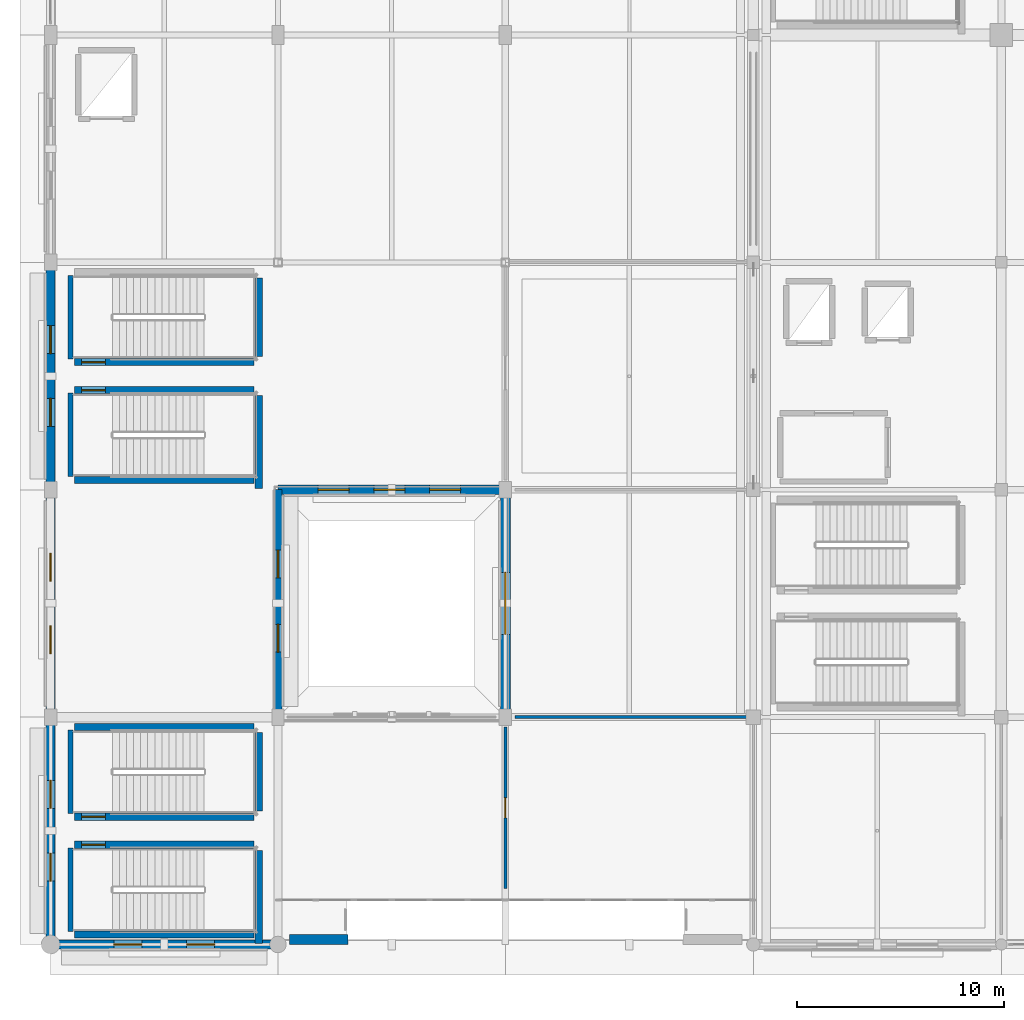
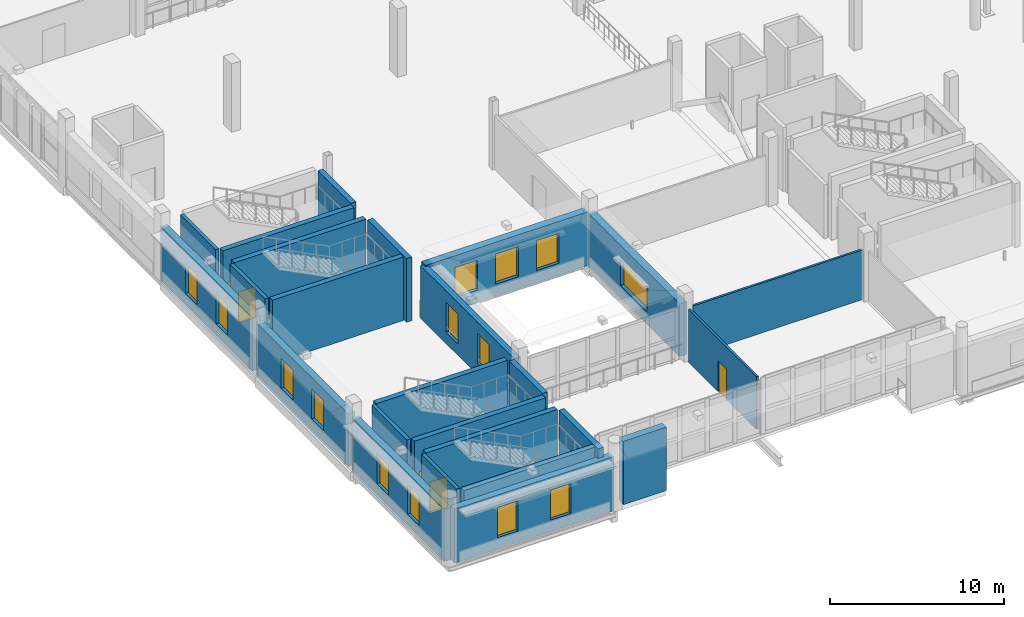
# One storey, part 90 of 143: 25 walls, 14 windows, 5 doors, 19 openings.
"""IFC4 building model written with IfcOpenShell, lengths in metres."""

from ifc_helpers import new_model, si_unit, direction, frame, frame_2d, origin, place, context, subcontext, project, spatial, rectangle, extrude, material, layer, layer_set, type_object, element, fill, save


model = new_model("IFC4")

# Units and contexts
model_context = context("Model", 3, precision=1e-05, world=origin(), true_north=direction((0.0, 1.0)))
body_context = subcontext(model_context, "Body", "Model", "MODEL_VIEW")
ifc_project = project(units=[si_unit("LENGTHUNIT", "METRE"), si_unit("AREAUNIT", "SQUARE_METRE"), si_unit("VOLUMEUNIT", "CUBIC_METRE"), si_unit("PLANEANGLEUNIT", "RADIAN"), si_unit("MASSUNIT", "GRAM", prefix="KILO")], contexts=[model_context])

# Site, building, storey
site_placement = place(None, origin())
site = spatial("IfcSite", under=ifc_project, at=site_placement, CompositionType="ELEMENT")
building_placement = place(site_placement, origin())
building = spatial("IfcBuilding", under=site, at=building_placement, Name="Luwafu Chhajja Arena", CompositionType="ELEMENT")
storey_placement = place(building_placement, frame((0.0, 0.0, 5.39990234375)))
storey = spatial("IfcBuildingStorey", under=building, at=storey_placement, Name="L01", CompositionType="ELEMENT", Elevation=5.39990234375)

# Wall, opening, door
ifc_material_1 = material(Name="Lightweight blockwork partition", Category="masonry")
ifc_layer_1 = layer(ifc_material_1, 0.139892578125, Name="Lightweight blockwork partition")
ifc_layer_set_1 = layer_set([ifc_layer_1], Name="Lightweight blockwork partition")
wall_type_1 = type_object("IfcWallType", Name="Concourse Kiosk Partition 140", PredefinedType="PARTITIONING", material=ifc_layer_set_1)
wall_1_placement = place(storey_placement, frame((22.0, 2.699951171875, 0.0), z_axis=(0.0, 0.0, 1.0), x_axis=(0.0, 1.0, 0.0)))
wall_1 = element("IfcWall", 1, at=wall_1_placement, inside=storey, type_object=wall_type_1, Name="L01 Internal Partition 0217", PredefinedType="PARTITIONING", context=body_context, shape_type="SweptSolid", body=[
    extrude(rectangle(XDim=7.820068359375, YDim=0.139892578125, at=frame_2d((3.91015625, 0.0))), origin(), (0.0, 0.0, 1.0), 3.70654296875),
])
opening_1_placement = place(wall_1_placement, frame((3.429931640625, 0.0, 0.0)))
opening_1 = element("IfcOpeningElement", 2, at=opening_1_placement, cuts=wall_1, Name="Opening DR-22", PredefinedType="OPENING", context=body_context, shape_type="SweptSolid", body=[
    extrude(rectangle(XDim=0.9599609375, YDim=2.14990234375, at=frame_2d((0.47998046875, 1.074951171875))), frame((0.0, 0.079833984375, 0.0), z_axis=(0.0, -1.0, 0.0), x_axis=(1.0, 0.0, 0.0)), (0.0, 0.0, 1.0), 0.159912109375),
])
ifc_material_2 = material(Name="Hardwood flush office door", Category="wood")
door_type_1 = type_object("IfcDoorType", Name="DR-22", OperationType="NOTDEFINED", PredefinedType="DOOR", material=ifc_material_2)
door_1_placement = place(opening_1_placement, origin())
door_1 = element("IfcDoor", 3, at=door_1_placement, inside=storey, type_object=door_type_1, Name="L01 Interior Door L01-D031", OperationType="SINGLE_SWING_LEFT", OverallHeight=2.14990234375, OverallWidth=0.9599609375, PredefinedType="DOOR", context=body_context, shape_type="SweptSolid", body=[
    extrude(rectangle(XDim=0.9599609375, YDim=2.14990234375, at=frame_2d((0.47998046875, 1.074951171875))), frame((0.0, 0.02490234375, 0.0), z_axis=(0.0, -1.0, 0.0), x_axis=(1.0, 0.0, 0.0)), (0.0, 0.0, 1.0), 0.050048828125),
])
fill(opening_1, door_1)

# Walls
wall_2_placement = place(storey_placement, frame((22.47998046875, 11.0, 0.0), z_axis=(0.0, 0.0, 1.0), x_axis=(1.0, 0.0, 0.0)))
element("IfcWall", 4, at=wall_2_placement, inside=storey, type_object=wall_type_1, Name="L01 Internal Partition 0219", PredefinedType="PARTITIONING", context=body_context, shape_type="SweptSolid", body=[
    extrude(rectangle(XDim=11.300048828125, YDim=0.139892578125, at=frame_2d((5.64990234375, 0.0))), origin(), (0.0, 0.0, 1.0), 3.489990234375),
])
ifc_material_3 = material(Name="Concrete C40/50", Category="concrete")
ifc_layer_2 = layer(ifc_material_3, 0.47998046875, Name="Concrete C40/50")
ifc_layer_set_2 = layer_set([ifc_layer_2], Name="Concrete C40/50")
wall_type_2 = type_object("IfcWallType", Name="Pishtaq Portal Ashlar Wall 480", PredefinedType="SOLIDWALL", material=ifc_layer_set_2)
wall_3_placement = place(storey_placement, frame((11.550048828125, 0.25, 0.0), z_axis=(0.0, 0.0, 1.0), x_axis=(1.0, 0.0, 0.0)))
element("IfcWall", 5, at=wall_3_placement, inside=storey, type_object=wall_type_2, Name="L01 Pishtaq Portal West Cheek Pier", PredefinedType="SOLIDWALL", context=body_context, shape_type="SweptSolid", body=[
    extrude(rectangle(XDim=2.849853515625, YDim=0.47998046875, at=frame_2d((1.4248046875, 0.0))), origin(), (0.0, 0.0, 1.0), 4.440185546875),
])

# Wall, openings, windows
wall_4_placement = place(storey_placement, frame((11.0, 22.0, 0.0), z_axis=(0.0, 0.0, 1.0), x_axis=(1.0, 0.0, 0.0)))
wall_4 = element("IfcWall", 6, at=wall_4_placement, inside=storey, type_object=wall_type_2, Name="L01 Exterior Wall WEX-L01-114", PredefinedType="SOLIDWALL", context=body_context, shape_type="SweptSolid", body=[
    extrude(rectangle(XDim=10.780029296875, YDim=0.47998046875, at=frame_2d((5.39013671875, 0.0))), origin(), (0.0, 0.0, 1.0), 3.77783203125),
])
opening_2_placement = place(wall_4_placement, frame((1.945068359375, 0.0, 0.85009765625)))
opening_2 = element("IfcOpeningElement", 7, at=opening_2_placement, cuts=wall_4, Name="Opening WN-02", PredefinedType="OPENING", context=body_context, shape_type="SweptSolid", body=[
    extrude(rectangle(XDim=1.5, YDim=2.10009765625, at=frame_2d((0.75, 1.050048828125))), frame((0.0, 0.25, 0.0), z_axis=(0.0, -1.0, 0.0), x_axis=(1.0, 0.0, 0.0)), (0.0, 0.0, 1.0), 0.5),
])
opening_3_placement = place(wall_4_placement, frame((4.639892578125, 0.0, 0.85009765625)))
opening_3 = element("IfcOpeningElement", 8, at=opening_3_placement, cuts=wall_4, Name="Opening WN-02", PredefinedType="OPENING", context=body_context, shape_type="SweptSolid", body=[
    extrude(rectangle(XDim=1.5, YDim=2.10009765625, at=frame_2d((0.75, 1.050048828125))), frame((0.0, 0.25, 0.0), z_axis=(0.0, -1.0, 0.0), x_axis=(1.0, 0.0, 0.0)), (0.0, 0.0, 1.0), 0.5),
])
opening_4_placement = place(wall_4_placement, frame((7.3349609375, 0.0, 0.85009765625)))
opening_4 = element("IfcOpeningElement", 9, at=opening_4_placement, cuts=wall_4, Name="Opening WN-02", PredefinedType="OPENING", context=body_context, shape_type="SweptSolid", body=[
    extrude(rectangle(XDim=1.5, YDim=2.10009765625, at=frame_2d((0.75, 1.050048828125))), frame((0.0, 0.25, 0.0), z_axis=(0.0, -1.0, 0.0), x_axis=(1.0, 0.0, 0.0)), (0.0, 0.0, 1.0), 0.5),
])
ifc_material_4 = material(Name="Solar-control laminated glass", Category="glass")
window_type_1 = type_object("IfcWindowType", Name="Mughal Deep-Reveal Punched Window 1500x2100", PartitioningType="SINGLE_PANEL", PredefinedType="WINDOW", material=ifc_material_4)
window_1_placement = place(opening_2_placement, origin())
window_1 = element("IfcWindow", 10, at=window_1_placement, inside=storey, type_object=window_type_1, Name="L01 Facade Window 023", OverallHeight=2.10009765625, OverallWidth=1.5, PartitioningType="SINGLE_PANEL", PredefinedType="WINDOW", context=body_context, shape_type="SweptSolid", body=[
    extrude(rectangle(XDim=1.5, YDim=2.10009765625, at=frame_2d((0.75, 1.050048828125))), frame((0.0, 0.030029296875, 0.0), z_axis=(0.0, -1.0, 0.0), x_axis=(1.0, 0.0, 0.0)), (0.0, 0.0, 1.0), 0.06005859375),
])
fill(opening_2, window_1)
window_2_placement = place(opening_3_placement, origin())
window_2 = element("IfcWindow", 11, at=window_2_placement, inside=storey, type_object=window_type_1, Name="L01 Facade Window 024", OverallHeight=2.10009765625, OverallWidth=1.5, PartitioningType="SINGLE_PANEL", PredefinedType="WINDOW", context=body_context, shape_type="SweptSolid", body=[
    extrude(rectangle(XDim=1.5, YDim=2.10009765625, at=frame_2d((0.75, 1.050048828125))), frame((0.0, 0.030029296875, 0.0), z_axis=(0.0, -1.0, 0.0), x_axis=(1.0, 0.0, 0.0)), (0.0, 0.0, 1.0), 0.06005859375),
])
fill(opening_3, window_2)
window_3_placement = place(opening_4_placement, origin())
window_3 = element("IfcWindow", 12, at=window_3_placement, inside=storey, type_object=window_type_1, Name="L01 Facade Window 025", OverallHeight=2.10009765625, OverallWidth=1.5, PartitioningType="SINGLE_PANEL", PredefinedType="WINDOW", context=body_context, shape_type="SweptSolid", body=[
    extrude(rectangle(XDim=1.5, YDim=2.10009765625, at=frame_2d((0.75, 1.050048828125))), frame((0.0, 0.030029296875, 0.0), z_axis=(0.0, -1.0, 0.0), x_axis=(1.0, 0.0, 0.0)), (0.0, 0.0, 1.0), 0.06005859375),
])
fill(opening_4, window_3)

# Wall, opening, window
wall_5_placement = place(storey_placement, frame((22.0, 11.219970703125, 0.0), z_axis=(0.0, 0.0, 1.0), x_axis=(0.0, 1.0, 0.0)))
wall_5 = element("IfcWall", 13, at=wall_5_placement, inside=storey, type_object=wall_type_2, Name="L01 Exterior Wall WEX-L01-116", PredefinedType="SOLIDWALL", context=body_context, shape_type="SweptSolid", body=[
    extrude(rectangle(XDim=10.56005859375, YDim=0.47998046875, at=frame_2d((5.280029296875, 0.0))), origin(), (0.0, 0.0, 1.0), 3.70654296875),
])
opening_5_placement = place(wall_5_placement, frame((3.780029296875, 0.0, 0.89990234375)))
opening_5 = element("IfcOpeningElement", 14, at=opening_5_placement, cuts=wall_5, Name="Opening WN-07", PredefinedType="OPENING", context=body_context, shape_type="SweptSolid", body=[
    extrude(rectangle(XDim=3.0, YDim=1.800048828125, at=frame_2d((1.5, 0.89990234375))), frame((0.0, 0.25, 0.0), z_axis=(0.0, -1.0, 0.0), x_axis=(1.0, 0.0, 0.0)), (0.0, 0.0, 1.0), 0.5),
])
window_type_2 = type_object("IfcWindowType", Name="Hospitality Lounge Ribbon Window 3000x1800", PartitioningType="SINGLE_PANEL", PredefinedType="WINDOW", material=ifc_material_4)
window_4_placement = place(opening_5_placement, origin())
window_4 = element("IfcWindow", 15, at=window_4_placement, inside=storey, type_object=window_type_2, Name="L01 Facade Window 028", OverallHeight=1.800048828125, OverallWidth=3.0, PartitioningType="SINGLE_PANEL", PredefinedType="WINDOW", context=body_context, shape_type="SweptSolid", body=[
    extrude(rectangle(XDim=3.0, YDim=1.800048828125, at=frame_2d((1.5, 0.89990234375))), frame((0.0, 0.030029296875, 0.0), z_axis=(0.0, -1.0, 0.0), x_axis=(1.0, 0.0, 0.0)), (0.0, 0.0, 1.0), 0.06005859375),
])
fill(opening_5, window_4)

# Walls
ifc_layer_3 = layer(ifc_material_3, 0.35009765625, Name="Concrete C40/50")
ifc_layer_set_3 = layer_set([ifc_layer_3], Name="Concrete C40/50")
wall_type_3 = type_object("IfcWallType", Name="RC Core Shear Wall 350", PredefinedType="SOLIDWALL", material=ifc_layer_set_3)
wall_6_placement = place(storey_placement, frame((10.072021484375, 22.050048828125, 0.0), z_axis=(0.0, 0.0, 1.0), x_axis=(0.0, 1.0, 0.0)))
element("IfcWall", 16, at=wall_6_placement, inside=storey, type_object=wall_type_3, Name="L01 Stair ST-13 Core Shear Wall E", PredefinedType="SOLIDWALL", context=body_context, shape_type="SweptSolid", body=[
    extrude(rectangle(XDim=4.5, YDim=0.35009765625, at=frame_2d((2.25, 0.0))), origin(), (0.0, 0.0, 1.0), 4.460205078125),
])
wall_7_placement = place(storey_placement, frame((1.14990234375, 22.47802734375, 0.0), z_axis=(0.0, 0.0, 1.0), x_axis=(1.0, 0.0, 0.0)))
element("IfcWall", 17, at=wall_7_placement, inside=storey, type_object=wall_type_3, Name="L01 Stair ST-13 Core Shear Wall S", PredefinedType="SOLIDWALL", context=body_context, shape_type="SweptSolid", body=[
    extrude(rectangle(XDim=8.7001953125, YDim=0.35009765625, at=frame_2d((4.35009765625, 0.0))), origin(), (0.0, 0.0, 1.0), 4.460205078125),
])

# Wall, opening, door
wall_8_placement = place(storey_placement, frame((1.14990234375, 26.822021484375, 0.0), z_axis=(0.0, 0.0, 1.0), x_axis=(1.0, 0.0, 0.0)))
wall_8 = element("IfcWall", 18, at=wall_8_placement, inside=storey, type_object=wall_type_3, Name="L01 Stair ST-13 Core Shear Wall N", PredefinedType="SOLIDWALL", context=body_context, shape_type="SweptSolid", body=[
    extrude(rectangle(XDim=8.7001953125, YDim=0.35009765625, at=frame_2d((4.35009765625, 0.0))), origin(), (0.0, 0.0, 1.0), 4.460205078125),
])
opening_6_placement = place(wall_8_placement, frame((0.35009765625, 0.0, 0.0)))
opening_6 = element("IfcOpeningElement", 19, at=opening_6_placement, cuts=wall_8, Name="Opening DR-06", PredefinedType="OPENING", context=body_context, shape_type="SweptSolid", body=[
    extrude(rectangle(XDim=1.14990234375, YDim=2.199951171875, at=frame_2d((0.574951171875, 1.10009765625))), frame((0.0, 0.18505859375, 0.0), z_axis=(0.0, -1.0, 0.0), x_axis=(1.0, 0.0, 0.0)), (0.0, 0.0, 1.0), 0.3701171875),
])
ifc_material_5 = material(Name="Fire-rated hardwood and steel core", Category="steel")
door_type_2 = type_object("IfcDoorType", Name="DR-06", OperationType="NOTDEFINED", PredefinedType="DOOR", material=ifc_material_5)
door_2_placement = place(opening_6_placement, origin())
door_2 = element("IfcDoor", 20, at=door_2_placement, inside=storey, type_object=door_type_2, Name="L01 Escape Stair ST-13 Fire Door L01-D021", OperationType="SINGLE_SWING_RIGHT", OverallHeight=2.199951171875, OverallWidth=1.14990234375, PredefinedType="DOOR", context=body_context, shape_type="SweptSolid", body=[
    extrude(rectangle(XDim=1.14990234375, YDim=2.199951171875, at=frame_2d((0.574951171875, 1.10009765625))), frame((0.0, 0.02490234375, 0.0), z_axis=(0.0, -1.0, 0.0), x_axis=(1.0, 0.0, 0.0)), (0.0, 0.0, 1.0), 0.050048828125),
])
fill(opening_6, door_2)

# Wall
wall_9_placement = place(storey_placement, frame((10.072021484375, 28.449951171875, 0.0), z_axis=(0.0, 0.0, 1.0), x_axis=(0.0, 1.0, 0.0)))
element("IfcWall", 21, at=wall_9_placement, inside=storey, type_object=wall_type_3, Name="L01 Stair ST-14 Core Shear Wall E", PredefinedType="SOLIDWALL", context=body_context, shape_type="SweptSolid", body=[
    extrude(rectangle(XDim=3.800048828125, YDim=0.35009765625, at=frame_2d((1.89990234375, 0.0))), origin(), (0.0, 0.0, 1.0), 4.460205078125),
])

# Wall, opening, door
wall_10_placement = place(storey_placement, frame((1.14990234375, 28.177978515625, 0.0), z_axis=(0.0, 0.0, 1.0), x_axis=(1.0, 0.0, 0.0)))
wall_10 = element("IfcWall", 22, at=wall_10_placement, inside=storey, type_object=wall_type_3, Name="L01 Stair ST-14 Core Shear Wall S", PredefinedType="SOLIDWALL", context=body_context, shape_type="SweptSolid", body=[
    extrude(rectangle(XDim=8.7001953125, YDim=0.35009765625, at=frame_2d((4.35009765625, 0.0))), origin(), (0.0, 0.0, 1.0), 4.460205078125),
])
opening_7_placement = place(wall_10_placement, frame((0.35009765625, 0.0, 0.0)))
opening_7 = element("IfcOpeningElement", 23, at=opening_7_placement, cuts=wall_10, Name="Opening DR-06", PredefinedType="OPENING", context=body_context, shape_type="SweptSolid", body=[
    extrude(rectangle(XDim=1.14990234375, YDim=2.199951171875, at=frame_2d((0.574951171875, 1.10009765625))), frame((0.0, 0.18505859375, 0.0), z_axis=(0.0, -1.0, 0.0), x_axis=(1.0, 0.0, 0.0)), (0.0, 0.0, 1.0), 0.3701171875),
])
door_3_placement = place(opening_7_placement, origin())
door_3 = element("IfcDoor", 24, at=door_3_placement, inside=storey, type_object=door_type_2, Name="L01 Escape Stair ST-14 Fire Door L01-D022", OperationType="SINGLE_SWING_LEFT", OverallHeight=2.199951171875, OverallWidth=1.14990234375, PredefinedType="DOOR", context=body_context, shape_type="SweptSolid", body=[
    extrude(rectangle(XDim=1.14990234375, YDim=2.199951171875, at=frame_2d((0.574951171875, 1.10009765625))), frame((0.0, 0.02490234375, 0.0), z_axis=(0.0, -1.0, 0.0), x_axis=(1.0, 0.0, 0.0)), (0.0, 0.0, 1.0), 0.050048828125),
])
fill(opening_7, door_3)

# Walls
wall_11_placement = place(storey_placement, frame((10.072021484375, 0.050048828125, 0.0), z_axis=(0.0, 0.0, 1.0), x_axis=(0.0, 1.0, 0.0)))
element("IfcWall", 25, at=wall_11_placement, inside=storey, type_object=wall_type_3, Name="L01 Stair ST-17 Core Shear Wall E", PredefinedType="SOLIDWALL", context=body_context, shape_type="SweptSolid", body=[
    extrude(rectangle(XDim=4.5, YDim=0.35009765625, at=frame_2d((2.25, 0.0))), origin(), (0.0, 0.0, 1.0), 4.460205078125),
])
wall_12_placement = place(storey_placement, frame((1.14990234375, 0.47802734375, 0.0), z_axis=(0.0, 0.0, 1.0), x_axis=(1.0, 0.0, 0.0)))
element("IfcWall", 26, at=wall_12_placement, inside=storey, type_object=wall_type_3, Name="L01 Stair ST-17 Core Shear Wall S", PredefinedType="SOLIDWALL", context=body_context, shape_type="SweptSolid", body=[
    extrude(rectangle(XDim=8.7001953125, YDim=0.35009765625, at=frame_2d((4.35009765625, 0.0))), origin(), (0.0, 0.0, 1.0), 4.460205078125),
])

# Wall, opening, door
wall_13_placement = place(storey_placement, frame((1.14990234375, 4.822021484375, 0.0), z_axis=(0.0, 0.0, 1.0), x_axis=(1.0, 0.0, 0.0)))
wall_13 = element("IfcWall", 27, at=wall_13_placement, inside=storey, type_object=wall_type_3, Name="L01 Stair ST-17 Core Shear Wall N", PredefinedType="SOLIDWALL", context=body_context, shape_type="SweptSolid", body=[
    extrude(rectangle(XDim=8.7001953125, YDim=0.35009765625, at=frame_2d((4.35009765625, 0.0))), origin(), (0.0, 0.0, 1.0), 4.460205078125),
])
opening_8_placement = place(wall_13_placement, frame((0.35009765625, 0.0, 0.0)))
opening_8 = element("IfcOpeningElement", 28, at=opening_8_placement, cuts=wall_13, Name="Opening DR-06", PredefinedType="OPENING", context=body_context, shape_type="SweptSolid", body=[
    extrude(rectangle(XDim=1.14990234375, YDim=2.199951171875, at=frame_2d((0.574951171875, 1.10009765625))), frame((0.0, 0.18505859375, 0.0), z_axis=(0.0, -1.0, 0.0), x_axis=(1.0, 0.0, 0.0)), (0.0, 0.0, 1.0), 0.3701171875),
])
door_4_placement = place(opening_8_placement, origin())
door_4 = element("IfcDoor", 29, at=door_4_placement, inside=storey, type_object=door_type_2, Name="L01 Escape Stair ST-17 Fire Door L01-D025", OperationType="SINGLE_SWING_RIGHT", OverallHeight=2.199951171875, OverallWidth=1.14990234375, PredefinedType="DOOR", context=body_context, shape_type="SweptSolid", body=[
    extrude(rectangle(XDim=1.14990234375, YDim=2.199951171875, at=frame_2d((0.574951171875, 1.10009765625))), frame((0.0, 0.02490234375, 0.0), z_axis=(0.0, -1.0, 0.0), x_axis=(1.0, 0.0, 0.0)), (0.0, 0.0, 1.0), 0.050048828125),
])
fill(opening_8, door_4)

# Wall
wall_14_placement = place(storey_placement, frame((10.072021484375, 6.449951171875, 0.0), z_axis=(0.0, 0.0, 1.0), x_axis=(0.0, 1.0, 0.0)))
element("IfcWall", 30, at=wall_14_placement, inside=storey, type_object=wall_type_3, Name="L01 Stair ST-18 Core Shear Wall E", PredefinedType="SOLIDWALL", context=body_context, shape_type="SweptSolid", body=[
    extrude(rectangle(XDim=3.800048828125, YDim=0.35009765625, at=frame_2d((1.89990234375, 0.0))), origin(), (0.0, 0.0, 1.0), 4.460205078125),
])

# Wall, opening, door
wall_15_placement = place(storey_placement, frame((1.14990234375, 6.177978515625, 0.0), z_axis=(0.0, 0.0, 1.0), x_axis=(1.0, 0.0, 0.0)))
wall_15 = element("IfcWall", 31, at=wall_15_placement, inside=storey, type_object=wall_type_3, Name="L01 Stair ST-18 Core Shear Wall S", PredefinedType="SOLIDWALL", context=body_context, shape_type="SweptSolid", body=[
    extrude(rectangle(XDim=8.7001953125, YDim=0.35009765625, at=frame_2d((4.35009765625, 0.0))), origin(), (0.0, 0.0, 1.0), 4.460205078125),
])
opening_9_placement = place(wall_15_placement, frame((0.35009765625, 0.0, 0.0)))
opening_9 = element("IfcOpeningElement", 32, at=opening_9_placement, cuts=wall_15, Name="Opening DR-06", PredefinedType="OPENING", context=body_context, shape_type="SweptSolid", body=[
    extrude(rectangle(XDim=1.14990234375, YDim=2.199951171875, at=frame_2d((0.574951171875, 1.10009765625))), frame((0.0, 0.18505859375, 0.0), z_axis=(0.0, -1.0, 0.0), x_axis=(1.0, 0.0, 0.0)), (0.0, 0.0, 1.0), 0.3701171875),
])
door_5_placement = place(opening_9_placement, origin())
door_5 = element("IfcDoor", 33, at=door_5_placement, inside=storey, type_object=door_type_2, Name="L01 Escape Stair ST-18 Fire Door L01-D026", OperationType="SINGLE_SWING_LEFT", OverallHeight=2.199951171875, OverallWidth=1.14990234375, PredefinedType="DOOR", context=body_context, shape_type="SweptSolid", body=[
    extrude(rectangle(XDim=1.14990234375, YDim=2.199951171875, at=frame_2d((0.574951171875, 1.10009765625))), frame((0.0, 0.02490234375, 0.0), z_axis=(0.0, -1.0, 0.0), x_axis=(1.0, 0.0, 0.0)), (0.0, 0.0, 1.0), 0.050048828125),
])
fill(opening_9, door_5)

# Wall
wall_16_placement = place(storey_placement, frame((1.14990234375, 10.52197265625, 0.0), z_axis=(0.0, 0.0, 1.0), x_axis=(1.0, 0.0, 0.0)))
element("IfcWall", 34, at=wall_16_placement, inside=storey, type_object=wall_type_3, Name="L01 Stair ST-18 Core Shear Wall N", PredefinedType="SOLIDWALL", context=body_context, shape_type="SweptSolid", body=[
    extrude(rectangle(XDim=8.7001953125, YDim=0.35009765625, at=frame_2d((4.35009765625, 0.0))), origin(), (0.0, 0.0, 1.0), 4.460205078125),
])

# Wall, openings, windows
ifc_layer_4 = layer(ifc_material_3, 0.39990234375, Name="Concrete C40/50")
ifc_layer_set_4 = layer_set([ifc_layer_4], Name="Concrete C40/50")
wall_type_4 = type_object("IfcWallType", Name="RC Core Shear Wall 400", PredefinedType="SOLIDWALL", material=ifc_layer_set_4)
wall_17_placement = place(storey_placement, frame((11.0, 11.219970703125, 0.0), z_axis=(0.0, 0.0, 1.0), x_axis=(0.0, 1.0, 0.0)))
wall_17 = element("IfcWall", 35, at=wall_17_placement, inside=storey, type_object=wall_type_4, Name="L01 Exterior Wall WEX-L01-107", PredefinedType="SOLIDWALL", context=body_context, shape_type="SweptSolid", body=[
    extrude(rectangle(XDim=10.780029296875, YDim=0.39990234375, at=frame_2d((5.39013671875, 0.0))), origin(), (0.0, 0.0, 1.0), 3.690185546875),
])
opening_10_placement = place(wall_17_placement, frame((2.918212890625, 0.0, 0.800048828125)))
opening_10 = element("IfcOpeningElement", 36, at=opening_10_placement, cuts=wall_17, Name="Opening WN-17", PredefinedType="OPENING", context=body_context, shape_type="SweptSolid", body=[
    extrude(rectangle(XDim=1.35009765625, YDim=2.10009765625, at=frame_2d((0.675048828125, 1.050048828125))), frame((0.0, 0.2099609375, 0.0), z_axis=(0.0, -1.0, 0.0), x_axis=(1.0, 0.0, 0.0)), (0.0, 0.0, 1.0), 0.419921875),
])
opening_11_placement = place(wall_17_placement, frame((6.51171875, 0.0, 0.800048828125)))
opening_11 = element("IfcOpeningElement", 37, at=opening_11_placement, cuts=wall_17, Name="Opening WN-17", PredefinedType="OPENING", context=body_context, shape_type="SweptSolid", body=[
    extrude(rectangle(XDim=1.35009765625, YDim=2.10009765625, at=frame_2d((0.675048828125, 1.050048828125))), frame((0.0, 0.2099609375, 0.0), z_axis=(0.0, -1.0, 0.0), x_axis=(1.0, 0.0, 0.0)), (0.0, 0.0, 1.0), 0.419921875),
])
window_type_3 = type_object("IfcWindowType", Name="Exhibition Mezzanine Lancet Window 1350x2100", PartitioningType="SINGLE_PANEL", PredefinedType="WINDOW", material=ifc_material_4)
window_5_placement = place(opening_10_placement, origin())
window_5 = element("IfcWindow", 38, at=window_5_placement, inside=storey, type_object=window_type_3, Name="L01 Facade Window 007", OverallHeight=2.10009765625, OverallWidth=1.35009765625, PartitioningType="SINGLE_PANEL", PredefinedType="WINDOW", context=body_context, shape_type="SweptSolid", body=[
    extrude(rectangle(XDim=1.35009765625, YDim=2.10009765625, at=frame_2d((0.675048828125, 1.050048828125))), frame((0.0, 0.030029296875, 0.0), z_axis=(0.0, -1.0, 0.0), x_axis=(1.0, 0.0, 0.0)), (0.0, 0.0, 1.0), 0.06005859375),
])
fill(opening_10, window_5)
window_6_placement = place(opening_11_placement, origin())
window_6 = element("IfcWindow", 39, at=window_6_placement, inside=storey, type_object=window_type_3, Name="L01 Facade Window 008", OverallHeight=2.10009765625, OverallWidth=1.35009765625, PartitioningType="SINGLE_PANEL", PredefinedType="WINDOW", context=body_context, shape_type="SweptSolid", body=[
    extrude(rectangle(XDim=1.35009765625, YDim=2.10009765625, at=frame_2d((0.675048828125, 1.050048828125))), frame((0.0, 0.030029296875, 0.0), z_axis=(0.0, -1.0, 0.0), x_axis=(1.0, 0.0, 0.0)), (0.0, 0.0, 1.0), 0.06005859375),
])
fill(opening_11, window_6)

ifc_layer_5 = layer(ifc_material_3, 0.449951171875, Name="Concrete C40/50")
ifc_layer_set_5 = layer_set([ifc_layer_5], Name="Concrete C40/50")
wall_type_5 = type_object("IfcWallType", Name="RC Core Shear Wall 450", PredefinedType="SOLIDWALL", material=ifc_layer_set_5)
wall_18_placement = place(storey_placement, frame((0.219970703125, 0.0, 0.0), z_axis=(0.0, 0.0, 1.0), x_axis=(1.0, 0.0, 0.0)))
wall_18 = element("IfcWall", 40, at=wall_18_placement, inside=storey, type_object=wall_type_5, Name="L01 Exterior Wall WEX-L01-104", PredefinedType="SOLIDWALL", context=body_context, shape_type="SweptSolid", body=[
    extrude(rectangle(XDim=10.56005859375, YDim=0.449951171875, at=frame_2d((5.280029296875, 0.0))), origin(), (0.0, 0.0, 1.0), 3.7900390625),
])
opening_12_placement = place(wall_18_placement, frame((2.844970703125, 0.0, 0.800048828125)))
opening_12 = element("IfcOpeningElement", 41, at=opening_12_placement, cuts=wall_18, Name="Opening WN-17", PredefinedType="OPENING", context=body_context, shape_type="SweptSolid", body=[
    extrude(rectangle(XDim=1.35009765625, YDim=2.10009765625, at=frame_2d((0.675048828125, 1.050048828125))), frame((0.0, 0.23486328125, 0.0), z_axis=(0.0, -1.0, 0.0), x_axis=(1.0, 0.0, 0.0)), (0.0, 0.0, 1.0), 0.469970703125),
])
opening_13_placement = place(wall_18_placement, frame((6.364990234375, 0.0, 0.800048828125)))
opening_13 = element("IfcOpeningElement", 42, at=opening_13_placement, cuts=wall_18, Name="Opening WN-17", PredefinedType="OPENING", context=body_context, shape_type="SweptSolid", body=[
    extrude(rectangle(XDim=1.35009765625, YDim=2.10009765625, at=frame_2d((0.675048828125, 1.050048828125))), frame((0.0, 0.23486328125, 0.0), z_axis=(0.0, -1.0, 0.0), x_axis=(1.0, 0.0, 0.0)), (0.0, 0.0, 1.0), 0.469970703125),
])
window_7_placement = place(opening_12_placement, origin())
window_7 = element("IfcWindow", 43, at=window_7_placement, inside=storey, type_object=window_type_3, Name="L01 Facade Window 001", OverallHeight=2.10009765625, OverallWidth=1.35009765625, PartitioningType="SINGLE_PANEL", PredefinedType="WINDOW", context=body_context, shape_type="SweptSolid", body=[
    extrude(rectangle(XDim=1.35009765625, YDim=2.10009765625, at=frame_2d((0.675048828125, 1.050048828125))), frame((0.0, 0.030029296875, 0.0), z_axis=(0.0, -1.0, 0.0), x_axis=(1.0, 0.0, 0.0)), (0.0, 0.0, 1.0), 0.06005859375),
])
fill(opening_12, window_7)
window_8_placement = place(opening_13_placement, origin())
window_8 = element("IfcWindow", 44, at=window_8_placement, inside=storey, type_object=window_type_3, Name="L01 Facade Window 002", OverallHeight=2.10009765625, OverallWidth=1.35009765625, PartitioningType="SINGLE_PANEL", PredefinedType="WINDOW", context=body_context, shape_type="SweptSolid", body=[
    extrude(rectangle(XDim=1.35009765625, YDim=2.10009765625, at=frame_2d((0.675048828125, 1.050048828125))), frame((0.0, 0.030029296875, 0.0), z_axis=(0.0, -1.0, 0.0), x_axis=(1.0, 0.0, 0.0)), (0.0, 0.0, 1.0), 0.06005859375),
])
fill(opening_13, window_8)

wall_19_placement = place(storey_placement, frame((0.0, 0.219970703125, 0.0), z_axis=(0.0, 0.0, 1.0), x_axis=(0.0, 1.0, 0.0)))
wall_19 = element("IfcWall", 45, at=wall_19_placement, inside=storey, type_object=wall_type_5, Name="L01 Exterior Wall WEX-L01-105", PredefinedType="SOLIDWALL", context=body_context, shape_type="SweptSolid", body=[
    extrude(rectangle(XDim=10.56005859375, YDim=0.449951171875, at=frame_2d((5.280029296875, 0.0))), origin(), (0.0, 0.0, 1.0), 3.690185546875),
])
opening_14_placement = place(wall_19_placement, frame((2.844970703125, 0.0, 0.800048828125)))
opening_14 = element("IfcOpeningElement", 46, at=opening_14_placement, cuts=wall_19, Name="Opening WN-17", PredefinedType="OPENING", context=body_context, shape_type="SweptSolid", body=[
    extrude(rectangle(XDim=1.35009765625, YDim=2.10009765625, at=frame_2d((0.675048828125, 1.050048828125))), frame((0.0, 0.23486328125, 0.0), z_axis=(0.0, -1.0, 0.0), x_axis=(1.0, 0.0, 0.0)), (0.0, 0.0, 1.0), 0.469970703125),
])
opening_15_placement = place(wall_19_placement, frame((6.364990234375, 0.0, 0.800048828125)))
opening_15 = element("IfcOpeningElement", 47, at=opening_15_placement, cuts=wall_19, Name="Opening WN-17", PredefinedType="OPENING", context=body_context, shape_type="SweptSolid", body=[
    extrude(rectangle(XDim=1.35009765625, YDim=2.10009765625, at=frame_2d((0.675048828125, 1.050048828125))), frame((0.0, 0.23486328125, 0.0), z_axis=(0.0, -1.0, 0.0), x_axis=(1.0, 0.0, 0.0)), (0.0, 0.0, 1.0), 0.469970703125),
])
window_9_placement = place(opening_14_placement, origin())
window_9 = element("IfcWindow", 48, at=window_9_placement, inside=storey, type_object=window_type_3, Name="L01 Facade Window 003", OverallHeight=2.10009765625, OverallWidth=1.35009765625, PartitioningType="SINGLE_PANEL", PredefinedType="WINDOW", context=body_context, shape_type="SweptSolid", body=[
    extrude(rectangle(XDim=1.35009765625, YDim=2.10009765625, at=frame_2d((0.675048828125, 1.050048828125))), frame((0.0, 0.030029296875, 0.0), z_axis=(0.0, -1.0, 0.0), x_axis=(1.0, 0.0, 0.0)), (0.0, 0.0, 1.0), 0.06005859375),
])
fill(opening_14, window_9)
window_10_placement = place(opening_15_placement, origin())
window_10 = element("IfcWindow", 49, at=window_10_placement, inside=storey, type_object=window_type_3, Name="L01 Facade Window 004", OverallHeight=2.10009765625, OverallWidth=1.35009765625, PartitioningType="SINGLE_PANEL", PredefinedType="WINDOW", context=body_context, shape_type="SweptSolid", body=[
    extrude(rectangle(XDim=1.35009765625, YDim=2.10009765625, at=frame_2d((0.675048828125, 1.050048828125))), frame((0.0, 0.030029296875, 0.0), z_axis=(0.0, -1.0, 0.0), x_axis=(1.0, 0.0, 0.0)), (0.0, 0.0, 1.0), 0.06005859375),
])
fill(opening_15, window_10)

wall_20_placement = place(storey_placement, frame((0.0, 11.219970703125, 0.0), z_axis=(0.0, 0.0, 1.0), x_axis=(0.0, 1.0, 0.0)))
wall_20 = element("IfcWall", 50, at=wall_20_placement, inside=storey, type_object=wall_type_5, Name="L01 Exterior Wall WEX-L01-106", PredefinedType="SOLIDWALL", context=body_context, shape_type="SweptSolid", body=[
    extrude(rectangle(XDim=10.56005859375, YDim=0.449951171875, at=frame_2d((5.280029296875, 0.0))), origin(), (0.0, 0.0, 1.0), 3.690185546875),
])
opening_16_placement = place(wall_20_placement, frame((2.844970703125, 0.0, 0.800048828125)))
opening_16 = element("IfcOpeningElement", 51, at=opening_16_placement, cuts=wall_20, Name="Opening WN-17", PredefinedType="OPENING", context=body_context, shape_type="SweptSolid", body=[
    extrude(rectangle(XDim=1.35009765625, YDim=2.10009765625, at=frame_2d((0.675048828125, 1.050048828125))), frame((0.0, 0.23486328125, 0.0), z_axis=(0.0, -1.0, 0.0), x_axis=(1.0, 0.0, 0.0)), (0.0, 0.0, 1.0), 0.469970703125),
])
opening_17_placement = place(wall_20_placement, frame((6.364990234375, 0.0, 0.800048828125)))
opening_17 = element("IfcOpeningElement", 52, at=opening_17_placement, cuts=wall_20, Name="Opening WN-17", PredefinedType="OPENING", context=body_context, shape_type="SweptSolid", body=[
    extrude(rectangle(XDim=1.35009765625, YDim=2.10009765625, at=frame_2d((0.675048828125, 1.050048828125))), frame((0.0, 0.23486328125, 0.0), z_axis=(0.0, -1.0, 0.0), x_axis=(1.0, 0.0, 0.0)), (0.0, 0.0, 1.0), 0.469970703125),
])
window_11_placement = place(opening_16_placement, origin())
window_11 = element("IfcWindow", 53, at=window_11_placement, inside=storey, type_object=window_type_3, Name="L01 Facade Window 005", OverallHeight=2.10009765625, OverallWidth=1.35009765625, PartitioningType="SINGLE_PANEL", PredefinedType="WINDOW", context=body_context, shape_type="SweptSolid", body=[
    extrude(rectangle(XDim=1.35009765625, YDim=2.10009765625, at=frame_2d((0.675048828125, 1.050048828125))), frame((0.0, 0.030029296875, 0.0), z_axis=(0.0, -1.0, 0.0), x_axis=(1.0, 0.0, 0.0)), (0.0, 0.0, 1.0), 0.06005859375),
])
fill(opening_16, window_11)
window_12_placement = place(opening_17_placement, origin())
window_12 = element("IfcWindow", 54, at=window_12_placement, inside=storey, type_object=window_type_3, Name="L01 Facade Window 006", OverallHeight=2.10009765625, OverallWidth=1.35009765625, PartitioningType="SINGLE_PANEL", PredefinedType="WINDOW", context=body_context, shape_type="SweptSolid", body=[
    extrude(rectangle(XDim=1.35009765625, YDim=2.10009765625, at=frame_2d((0.675048828125, 1.050048828125))), frame((0.0, 0.030029296875, 0.0), z_axis=(0.0, -1.0, 0.0), x_axis=(1.0, 0.0, 0.0)), (0.0, 0.0, 1.0), 0.06005859375),
])
fill(opening_17, window_12)

wall_21_placement = place(storey_placement, frame((0.0, 22.219970703125, 0.0), z_axis=(0.0, 0.0, 1.0), x_axis=(0.0, 1.0, 0.0)))
wall_21 = element("IfcWall", 55, at=wall_21_placement, inside=storey, type_object=wall_type_5, Name="L01 Exterior Wall WEX-L01-108", PredefinedType="SOLIDWALL", context=body_context, shape_type="SweptSolid", body=[
    extrude(rectangle(XDim=10.56005859375, YDim=0.449951171875, at=frame_2d((5.280029296875, 0.0))), origin(), (0.0, 0.0, 1.0), 3.77783203125),
])
opening_18_placement = place(wall_21_placement, frame((2.844970703125, 0.0, 0.800048828125)))
opening_18 = element("IfcOpeningElement", 56, at=opening_18_placement, cuts=wall_21, Name="Opening WN-17", PredefinedType="OPENING", context=body_context, shape_type="SweptSolid", body=[
    extrude(rectangle(XDim=1.35009765625, YDim=2.10009765625, at=frame_2d((0.675048828125, 1.050048828125))), frame((0.0, 0.23486328125, 0.0), z_axis=(0.0, -1.0, 0.0), x_axis=(1.0, 0.0, 0.0)), (0.0, 0.0, 1.0), 0.469970703125),
])
opening_19_placement = place(wall_21_placement, frame((6.364990234375, 0.0, 0.800048828125)))
opening_19 = element("IfcOpeningElement", 57, at=opening_19_placement, cuts=wall_21, Name="Opening WN-17", PredefinedType="OPENING", context=body_context, shape_type="SweptSolid", body=[
    extrude(rectangle(XDim=1.35009765625, YDim=2.10009765625, at=frame_2d((0.675048828125, 1.050048828125))), frame((0.0, 0.23486328125, 0.0), z_axis=(0.0, -1.0, 0.0), x_axis=(1.0, 0.0, 0.0)), (0.0, 0.0, 1.0), 0.469970703125),
])
window_13_placement = place(opening_18_placement, origin())
window_13 = element("IfcWindow", 58, at=window_13_placement, inside=storey, type_object=window_type_3, Name="L01 Facade Window 009", OverallHeight=2.10009765625, OverallWidth=1.35009765625, PartitioningType="SINGLE_PANEL", PredefinedType="WINDOW", context=body_context, shape_type="SweptSolid", body=[
    extrude(rectangle(XDim=1.35009765625, YDim=2.10009765625, at=frame_2d((0.675048828125, 1.050048828125))), frame((0.0, 0.030029296875, 0.0), z_axis=(0.0, -1.0, 0.0), x_axis=(1.0, 0.0, 0.0)), (0.0, 0.0, 1.0), 0.06005859375),
])
fill(opening_18, window_13)
window_14_placement = place(opening_19_placement, origin())
window_14 = element("IfcWindow", 59, at=window_14_placement, inside=storey, type_object=window_type_3, Name="L01 Facade Window 010", OverallHeight=2.10009765625, OverallWidth=1.35009765625, PartitioningType="SINGLE_PANEL", PredefinedType="WINDOW", context=body_context, shape_type="SweptSolid", body=[
    extrude(rectangle(XDim=1.35009765625, YDim=2.10009765625, at=frame_2d((0.675048828125, 1.050048828125))), frame((0.0, 0.030029296875, 0.0), z_axis=(0.0, -1.0, 0.0), x_axis=(1.0, 0.0, 0.0)), (0.0, 0.0, 1.0), 0.06005859375),
])
fill(opening_19, window_14)

# Walls
ifc_material_6 = material(Name="Concrete C35/45", Category="concrete")
ifc_layer_6 = layer(ifc_material_6, 0.22998046875, Name="Concrete C35/45")
ifc_layer_set_6 = layer_set([ifc_layer_6], Name="Concrete C35/45")
wall_type_6 = type_object("IfcWallType", Name="Stair Enclosure Wall 230", PredefinedType="SOLIDWALL", material=ifc_layer_set_6)
for number, where, z_axis, x_axis, name in (
    (60, (0.9599609375, 22.6298828125, 0.0), (0.0, 0.0, 1.0), (0.0, 1.0, 0.0), "L01 Stair ST-13 Enclosure Wall W"),
    (61, (0.9599609375, 28.330078125, 0.0), (0.0, 0.0, 1.0), (0.0, 1.0, 0.0), "L01 Stair ST-14 Enclosure Wall W"),
    (62, (0.9599609375, 0.6298828125, 0.0), (0.0, 0.0, 1.0), (0.0, 1.0, 0.0), "L01 Stair ST-17 Enclosure Wall W"),
    (63, (0.9599609375, 6.330078125, 0.0), (0.0, 0.0, 1.0), (0.0, 1.0, 0.0), "L01 Stair ST-18 Enclosure Wall W"),
):
    element("IfcWall", number, at=place(storey_placement, frame(where, z_axis=z_axis, x_axis=x_axis)), inside=storey, type_object=wall_type_6, Name=name, PredefinedType="SOLIDWALL", context=body_context, shape_type="SweptSolid", body=[
        extrude(rectangle(XDim=4.0400390625, YDim=0.22998046875, at=frame_2d((2.02001953125, 0.0))), origin(), (0.0, 0.0, 1.0), 4.460205078125),
    ])

save(model, "model.ifc")
